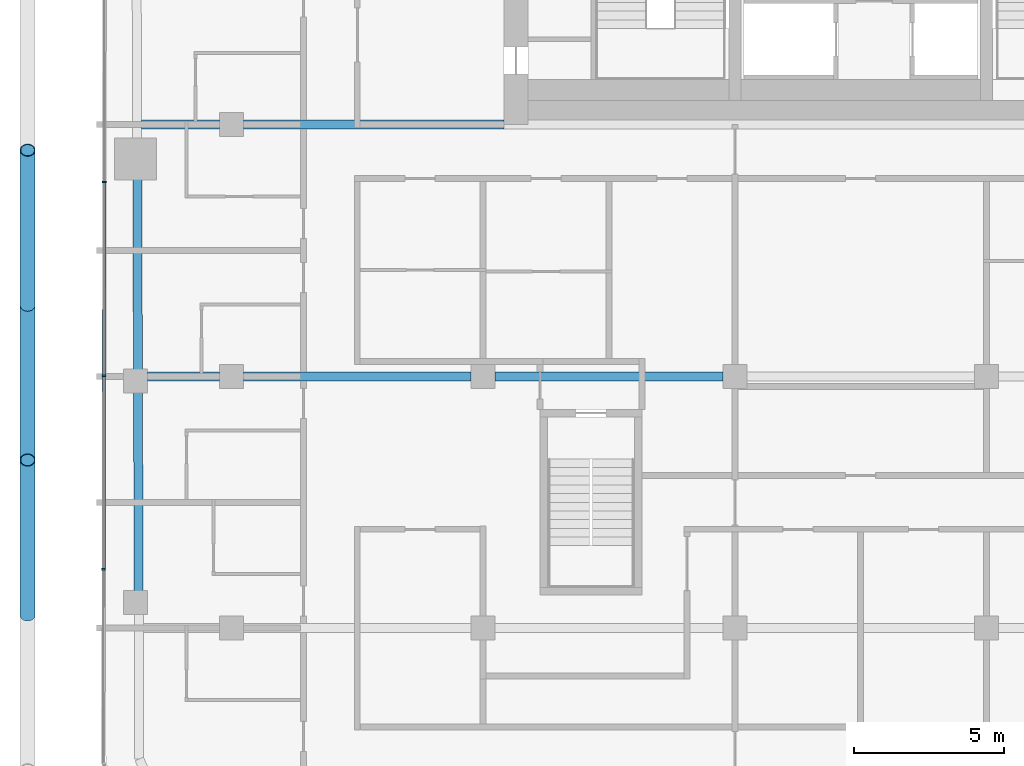
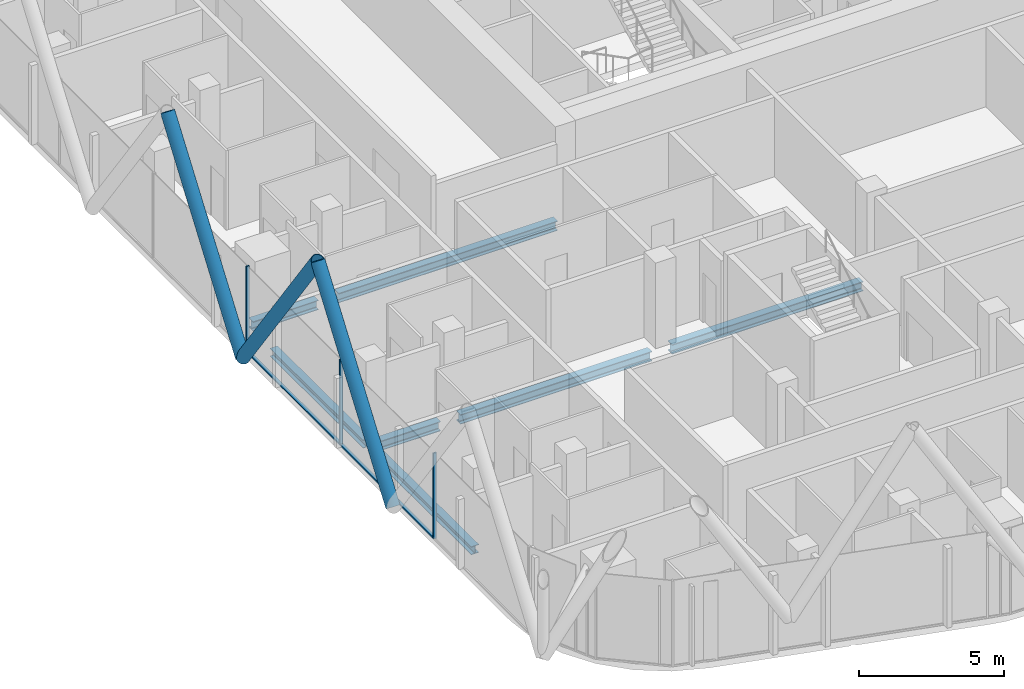
# One storey, part 4 of 28: 8 members, 7 beams, 1 element without a shape of its own.
"""IFC4 building model written with IfcOpenShell, lengths in metres."""

from ifc_helpers import new_model, si_unit, direction, frame, origin, origin_2d, place, context, subcontext, project, spatial, rectangle, hollow_circle, i_section, extrude, material, layer, layer_set, material_profile, profile_set, type_object, element, aggregate, save


model = new_model("IFC4")

# Units and contexts
model_context = context("Model", 3, precision=1e-05, world=origin(), true_north=direction((0.0, 1.0)))
body_context = subcontext(model_context, "Body", "Model", "MODEL_VIEW")
ifc_project = project(units=[si_unit("LENGTHUNIT", "METRE"), si_unit("AREAUNIT", "SQUARE_METRE"), si_unit("VOLUMEUNIT", "CUBIC_METRE"), si_unit("PLANEANGLEUNIT", "RADIAN"), si_unit("MASSUNIT", "GRAM", prefix="KILO")], contexts=[model_context])

# Site, building, storey
site_placement = place(None, origin())
site = spatial("IfcSite", under=ifc_project, at=site_placement, CompositionType="ELEMENT")
building_placement = place(site_placement, origin())
building = spatial("IfcBuilding", under=site, at=building_placement, Name="Marenta Gate Hotel Tower", CompositionType="ELEMENT")
storey_placement = place(building_placement, frame((0.0, 0.0, 227.300048828125)))
storey = spatial("IfcBuildingStorey", under=building, at=storey_placement, Name="L53", CompositionType="ELEMENT", Elevation=227.300048828125)

# Members
ifc_material_1 = material(Name="Steel S355J2W", Category="steel")
ifc_material_profile_1 = material_profile(ifc_material_1, hollow_circle(Radius=0.25390625, WallThickness=0.02490234375, at=origin_2d()), Name="CHS 508x25")
ifc_profile_set_1 = profile_set([ifc_material_profile_1], Name="Steel S355J2W")
member_type_1 = type_object("IfcMemberType", Name="Diagrid diagonal Z3 CHS 508x25", PredefinedType="BRACE", material=ifc_profile_set_1)
member_1_placement = place(storey_placement, frame((-27.800048828125, -16.360107421875, 3.139892578125), z_axis=(0.0, 0.583260841117, 0.812284919975), x_axis=(-1.0, 0.0, 0.0)))
element("IfcMember", 1, at=member_1_placement, inside=storey, type_object=member_type_1, Name="L53-DG-27", PredefinedType="BRACE", context=body_context, shape_type="SweptSolid", body=[
    extrude(hollow_circle(Radius=0.25390625, WallThickness=0.02490234375, at=origin_2d()), origin(), (0.0, 0.0, 1.0), 8.86376953125),
])
member_2_placement = place(storey_placement, frame((-27.800048828125, -6.02001953125, 3.139892578125), z_axis=(0.0, -0.583279014058, 0.812271870595), x_axis=(1.0, 0.0, 0.0)))
element("IfcMember", 2, at=member_2_placement, inside=storey, type_object=member_type_1, Name="L53-DG-28", PredefinedType="BRACE", context=body_context, shape_type="SweptSolid", body=[
    extrude(hollow_circle(Radius=0.25390625, WallThickness=0.02490234375, at=origin_2d()), origin(), (0.0, 0.0, 1.0), 8.864013671875),
])
member_3_placement = place(storey_placement, frame((-27.800048828125, -6.02001953125, 3.139892578125), z_axis=(0.0, 0.583260841117, 0.812284919975), x_axis=(-1.0, 0.0, 0.0)))
element("IfcMember", 3, at=member_3_placement, inside=storey, type_object=member_type_1, Name="L53-DG-29", PredefinedType="BRACE", context=body_context, shape_type="SweptSolid", body=[
    extrude(hollow_circle(Radius=0.25390625, WallThickness=0.02490234375, at=origin_2d()), origin(), (0.0, 0.0, 1.0), 8.86376953125),
])

# Beams
ifc_material_2 = material(Name="Steel S355", Category="steel")
ifc_material_profile_2 = material_profile(ifc_material_2, i_section(OverallWidth=0.300048828125, OverallDepth=0.340087890625, WebThickness=0.011962890625, FlangeThickness=0.021484375, FilletRadius=0.027099609375, at=origin_2d()), Name="HEB 340")
ifc_profile_set_2 = profile_set([ifc_material_profile_2], Name="Steel S355")
beam_type_1 = type_object("IfcBeamType", Name="Edge beam HEB 340", PredefinedType="SPANDREL", material=ifc_profile_set_2)
beam_1_placement = place(storey_placement, frame((-24.09375, -15.591796875, -0.429931640625), z_axis=(-0.00332539729, 0.999994470851, 0.0), x_axis=(-0.999994470851, -0.00332539729, 0.0)))
element("IfcBeam", 4, at=beam_1_placement, inside=storey, type_object=beam_type_1, Name="L53-EB-6", PredefinedType="SPANDREL", context=body_context, shape_type="SweptSolid", body=[
    extrude(i_section(OverallWidth=0.300048828125, OverallDepth=0.340087890625, WebThickness=0.011962890625, FlangeThickness=0.021484375, FilletRadius=0.027099609375, at=origin_2d()), origin(), (0.0, 0.0, 1.0), 6.680908203125),
])
beam_2_placement = place(storey_placement, frame((-24.118408203125, -8.19091796875, -0.429931640625), z_axis=(-0.003328723523, 0.999994459785, 0.0), x_axis=(-0.999994459785, -0.003328723523, 0.0)))
element("IfcBeam", 5, at=beam_2_placement, inside=storey, type_object=beam_type_1, Name="L53-EB-7", PredefinedType="SPANDREL", context=body_context, shape_type="SweptSolid", body=[
    extrude(i_section(OverallWidth=0.300048828125, OverallDepth=0.340087890625, WebThickness=0.011962890625, FlangeThickness=0.021484375, FilletRadius=0.027099609375, at=origin_2d()), origin(), (0.0, 0.0, 1.0), 6.380859375),
])
ifc_material_3 = material(Name="Steel S355", Category="steel")
ifc_material_profile_3 = material_profile(ifc_material_3, i_section(OverallWidth=0.300048828125, OverallDepth=0.39990234375, WebThickness=0.013427734375, FlangeThickness=0.02392578125, FilletRadius=0.027099609375, at=origin_2d()), Name="HEB 400")
ifc_profile_set_3 = profile_set([ifc_material_profile_3], Name="Steel S355")
beam_type_2 = type_object("IfcBeamType", Name="Girder HEB 400", PredefinedType="BEAM", material=ifc_profile_set_3)
beam_3_placement = place(storey_placement, frame((-23.800048828125, -8.39990234375, -0.4599609375), z_axis=(1.0, 0.0, 0.0), x_axis=(0.0, 1.0, 0.0)))
element("IfcBeam", 6, at=beam_3_placement, inside=storey, type_object=beam_type_2, Name="L53-GD-13", PredefinedType="BEAM", context=body_context, shape_type="SweptSolid", body=[
    extrude(i_section(OverallWidth=0.300048828125, OverallDepth=0.39990234375, WebThickness=0.013427734375, FlangeThickness=0.02392578125, FilletRadius=0.027099609375, at=origin_2d()), origin(), (0.0, 0.0, 1.0), 2.400146484375),
])
beam_4_placement = place(storey_placement, frame((-20.60009765625, -8.39990234375, -0.4599609375), z_axis=(1.0, 0.0, 0.0), x_axis=(0.0, 1.0, 0.0)))
element("IfcBeam", 7, at=beam_4_placement, inside=storey, type_object=beam_type_2, Name="L53-GD-14", PredefinedType="BEAM", context=body_context, shape_type="SweptSolid", body=[
    extrude(i_section(OverallWidth=0.300048828125, OverallDepth=0.39990234375, WebThickness=0.013427734375, FlangeThickness=0.02392578125, FilletRadius=0.027099609375, at=origin_2d()), origin(), (0.0, 0.0, 1.0), 7.60009765625),
])
beam_5_placement = place(storey_placement, frame((-12.199951171875, -8.39990234375, -0.4599609375), z_axis=(1.0, 0.0, 0.0), x_axis=(0.0, 1.0, 0.0)))
element("IfcBeam", 8, at=beam_5_placement, inside=storey, type_object=beam_type_2, Name="L53-GD-15", PredefinedType="BEAM", context=body_context, shape_type="SweptSolid", body=[
    extrude(i_section(OverallWidth=0.300048828125, OverallDepth=0.39990234375, WebThickness=0.013427734375, FlangeThickness=0.02392578125, FilletRadius=0.027099609375, at=origin_2d()), origin(), (0.0, 0.0, 1.0), 7.599853515625),
])
beam_6_placement = place(storey_placement, frame((-23.99560546875, 0.0, -0.4599609375), z_axis=(1.0, 0.0, 0.0), x_axis=(0.0, 1.0, 0.0)))
element("IfcBeam", 9, at=beam_6_placement, inside=storey, type_object=beam_type_2, Name="L53-GD-20", PredefinedType="BEAM", context=body_context, shape_type="SweptSolid", body=[
    extrude(i_section(OverallWidth=0.300048828125, OverallDepth=0.39990234375, WebThickness=0.013427734375, FlangeThickness=0.02392578125, FilletRadius=0.027099609375, at=origin_2d()), origin(), (0.0, 0.0, 1.0), 2.595703125),
])
beam_7_placement = place(storey_placement, frame((-20.60009765625, 0.0, -0.4599609375), z_axis=(1.0, 0.0, 0.0), x_axis=(0.0, 1.0, 0.0)))
element("IfcBeam", 10, at=beam_7_placement, inside=storey, type_object=beam_type_2, Name="L53-GD-21", PredefinedType="BEAM", context=body_context, shape_type="SweptSolid", body=[
    extrude(i_section(OverallWidth=0.300048828125, OverallDepth=0.39990234375, WebThickness=0.013427734375, FlangeThickness=0.02392578125, FilletRadius=0.027099609375, at=origin_2d()), origin(), (0.0, 0.0, 1.0), 8.7001953125),
])

# Curtain wall, members
ifc_material_4 = material(Name="Tinted insulated glass in bronze anodised frame", Category="glass")
ifc_layer = layer(ifc_material_4, 0.1201171875)
ifc_layer_set = layer_set([ifc_layer], Name="Tinted insulated glass in bronze anodised frame")
curtain_wall_type = type_object("IfcCurtainWallType", Name="Tower unitised curtain wall CW1", PredefinedType="NOTDEFINED", material=ifc_layer_set)
curtain_wall_placement = place(storey_placement, origin())
curtain_wall = element("IfcCurtainWall", 11, at=curtain_wall_placement, inside=storey, type_object=curtain_wall_type, Name="CW1 run G04", PredefinedType="NOTDEFINED")
ifc_material_5 = material(Name="Bronze anodised aluminium", Category="aluminium")
ifc_material_profile_4 = material_profile(ifc_material_5, rectangle(XDim=0.1201171875, YDim=0.06005859375, at=origin_2d()), Name="Mullion CW1 60x120 bronze anodised aluminium")
ifc_profile_set_4 = profile_set([ifc_material_profile_4], Name="Bronze anodised aluminium")
member_type_2 = type_object("IfcMemberType", Name="Mullion CW1 60x120 bronze anodised aluminium", PredefinedType="MULLION", material=ifc_profile_set_4)
member_4_placement = place(storey_placement, frame((-25.24267578125, -1.913818359375, 0.0), z_axis=(0.0, 0.0, 1.0), x_axis=(0.99999877375, -0.001566045546, 0.0)))
member_4 = element("IfcMember", 12, at=member_4_placement, type_object=member_type_2, Name="CW1 mullion 4", PredefinedType="MULLION", context=body_context, shape_type="SweptSolid", body=[
    extrude(rectangle(XDim=0.1201171875, YDim=0.06005859375, at=origin_2d()), origin(), (0.0, 0.0, 1.0), 3.599853515625),
])
member_5_placement = place(storey_placement, frame((-25.252685546875, -8.373779296875, 0.0), z_axis=(0.0, 0.0, 1.0), x_axis=(0.99999877375, -0.001566045546, 0.0)))
member_5 = element("IfcMember", 13, at=member_5_placement, type_object=member_type_2, Name="CW1 mullion 5", PredefinedType="MULLION", context=body_context, shape_type="SweptSolid", body=[
    extrude(rectangle(XDim=0.1201171875, YDim=0.06005859375, at=origin_2d()), origin(), (0.0, 0.0, 1.0), 3.599853515625),
])
member_6_placement = place(storey_placement, frame((-25.262939453125, -14.833740234375, 0.0), z_axis=(0.0, 0.0, 1.0), x_axis=(0.99999877375, -0.001566045546, 0.0)))
member_6 = element("IfcMember", 14, at=member_6_placement, type_object=member_type_2, Name="CW1 mullion 6", PredefinedType="MULLION", context=body_context, shape_type="SweptSolid", body=[
    extrude(rectangle(XDim=0.1201171875, YDim=0.06005859375, at=origin_2d()), origin(), (0.0, 0.0, 1.0), 3.599853515625),
])
ifc_material_6 = material(Name="Bronze anodised aluminium", Category="aluminium")
ifc_material_profile_5 = material_profile(ifc_material_6, rectangle(XDim=0.1201171875, YDim=0.06005859375, at=origin_2d()), Name="Transom CW1 60x120 bronze anodised aluminium")
ifc_profile_set_5 = profile_set([ifc_material_profile_5], Name="Bronze anodised aluminium")
member_type_3 = type_object("IfcMemberType", Name="Transom CW1 60x120 bronze anodised aluminium", PredefinedType="USERDEFINED", material=ifc_profile_set_5)
member_7_placement = place(storey_placement, frame((-25.24267578125, -1.94384765625, 0.030029296875), z_axis=(-0.001564047831, -0.999998776876, 0.0), x_axis=(0.999998776876, -0.001564047831, 0.0)))
member_7 = element("IfcMember", 15, at=member_7_placement, type_object=member_type_3, Name="CW1 transom 4.1", ObjectType="TRANSOM", PredefinedType="USERDEFINED", context=body_context, shape_type="SweptSolid", body=[
    extrude(rectangle(XDim=0.1201171875, YDim=0.06005859375, at=origin_2d()), origin(), (0.0, 0.0, 1.0), 6.39990234375),
])
member_8_placement = place(storey_placement, frame((-25.2529296875, -8.40380859375, 0.030029296875), z_axis=(-0.001564047831, -0.999998776876, 0.0), x_axis=(0.999998776876, -0.001564047831, 0.0)))
member_8 = element("IfcMember", 16, at=member_8_placement, type_object=member_type_3, Name="CW1 transom 5.1", ObjectType="TRANSOM", PredefinedType="USERDEFINED", context=body_context, shape_type="SweptSolid", body=[
    extrude(rectangle(XDim=0.1201171875, YDim=0.06005859375, at=origin_2d()), origin(), (0.0, 0.0, 1.0), 6.39990234375),
])
aggregate(curtain_wall, [member_4, member_5, member_6, member_7, member_8])

save(model, "model.ifc")
